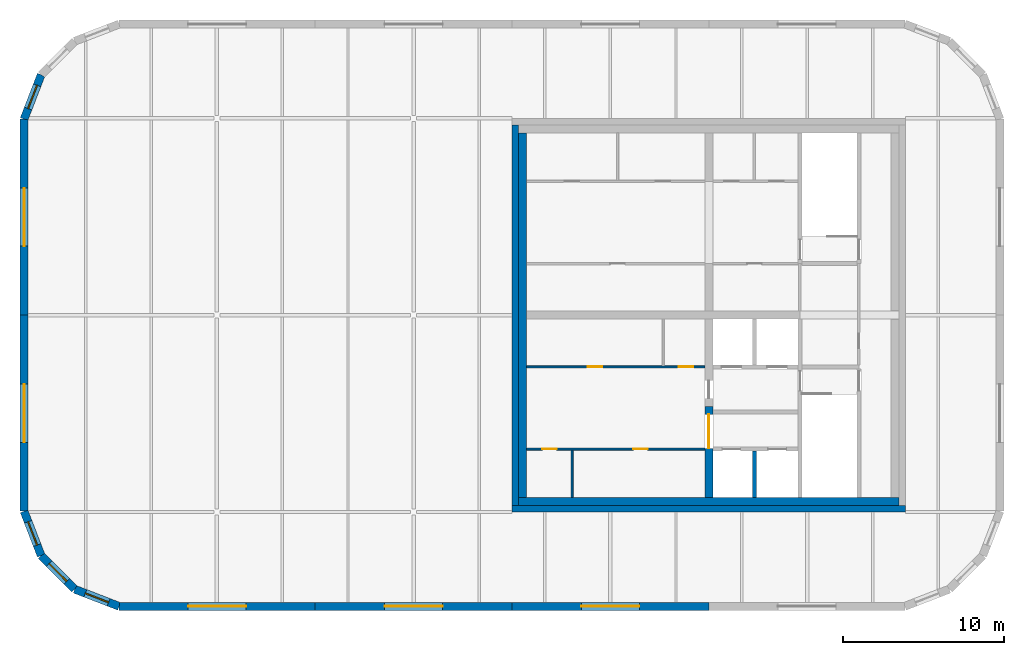
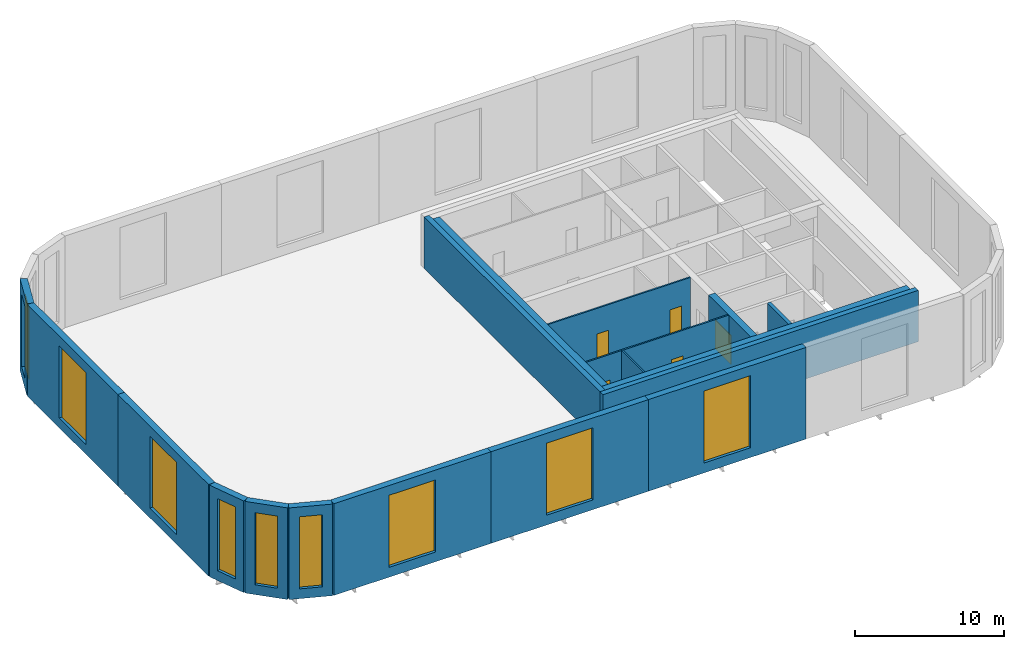
# One storey, part 2 of 6: 18 walls, 9 windows, 5 doors, 14 openings.
"""IFC4 building model written with IfcOpenShell, lengths in metres."""

from ifc_helpers import new_model, si_unit, direction, frame, frame_2d, origin, place, context, subcontext, project, spatial, polyline, rectangle, outline, extrude, faceted_brep, source, transform, mapped, material, layer, layer_set, type_object, element, fill, save


model = new_model("IFC4")

# Units and contexts
model_context = context("Model", 3, precision=1e-05, world=origin(), true_north=direction((0.0, 1.0)))
body_context = subcontext(model_context, "Body", "Model", "MODEL_VIEW")
ifc_project = project(units=[si_unit("LENGTHUNIT", "METRE"), si_unit("AREAUNIT", "SQUARE_METRE"), si_unit("VOLUMEUNIT", "CUBIC_METRE"), si_unit("PLANEANGLEUNIT", "RADIAN"), si_unit("MASSUNIT", "GRAM", prefix="KILO")], contexts=[model_context])

# Site, building, storey
site_placement = place(None, origin())
site = spatial("IfcSite", under=ifc_project, at=site_placement, CompositionType="ELEMENT")
building_placement = place(site_placement, origin())
building = spatial("IfcBuilding", under=site, at=building_placement, Name="Tessera Gate Towers", CompositionType="ELEMENT")
storey_placement = place(building_placement, frame((0.0, 0.0, 265.699951171875)))
storey = spatial("IfcBuildingStorey", under=building, at=storey_placement, Name="L66", CompositionType="ELEMENT", Elevation=265.699951171875)

# Wall
ifc_material_1 = material(Name="Concrete C40/50", Category="concrete")
ifc_layer_1 = layer(ifc_material_1, 0.25)
ifc_layer_set_1 = layer_set([ifc_layer_1], Name="CORE ENCLOSURE WALL 250")
wall_type_1 = type_object("IfcWallType", Name="CORE ENCLOSURE WALL 250", PredefinedType="SOLIDWALL", material=ifc_layer_set_1)
wall_1_placement = place(storey_placement, frame((45.52490234375, 25.300048828125, 0.0), z_axis=(0.0, 0.0, 1.0), x_axis=(0.0, 1.0, 0.0)))
element("IfcWall", 1, at=wall_1_placement, inside=storey, type_object=wall_type_1, Name="L66 shaft and stair enclosure wall", PredefinedType="SOLIDWALL", context=body_context, shape_type="SweptSolid", body=[
    extrude(rectangle(XDim=2.875, YDim=0.25, at=frame_2d((1.4375, 0.0))), origin(), (0.0, 0.0, 1.0), 4.199951171875),
])

# Wall, openings, doors
ifc_material_2 = material(Name="Gypsum board on steel studs", Category="steel")
ifc_layer_2 = layer(ifc_material_2, 0.1201171875)
ifc_layer_set_2 = layer_set([ifc_layer_2], Name="CORE PARTITION 120")
wall_type_2 = type_object("IfcWallType", Name="CORE PARTITION 120", PredefinedType="PARTITIONING", material=ifc_layer_set_2)
wall_2_placement = place(storey_placement, frame((42.449951171875, 28.300048828125, 0.0), z_axis=(0.0, 0.0, 1.0), x_axis=(-1.0, 0.0, 0.0)))
wall_2 = element("IfcWall", 2, at=wall_2_placement, inside=storey, type_object=wall_type_2, Name="L66 core partition", PredefinedType="PARTITIONING", context=body_context, shape_type="SweptSolid", body=[
    extrude(rectangle(XDim=11.050048828125, YDim=0.1201171875, at=frame_2d((5.52490234375, 0.0))), origin(), (0.0, 0.0, 1.0), 4.199951171875),
])
shared_shape_1 = source(origin(), body_context, "Body", "SweptSolid", [
    extrude(rectangle(XDim=0.89990234375, YDim=2.10009765625, at=frame_2d((0.449951171875, 1.050048828125))), frame((0.0, 0.070068359375, 0.0), z_axis=(0.0, -1.0, 0.0), x_axis=(1.0, 0.0, 0.0)), (0.0, 0.0, 1.0), 0.14013671875),
])
opening_1_placement = place(wall_2_placement, frame((9.1875, 0.0, 0.0)))
opening_1 = element("IfcOpeningElement", 3, at=opening_1_placement, cuts=wall_2, Name="Opening RD-T1-40-03", PredefinedType="OPENING", context=body_context, shape_type="MappedRepresentation", body=[
    mapped(shared_shape_1, transform((0.0, 0.0, 0.0), scale=1.0)),
])
opening_2_placement = place(wall_2_placement, frame((3.53759765625, 0.0, 0.0)))
opening_2 = element("IfcOpeningElement", 4, at=opening_2_placement, cuts=wall_2, Name="Opening RD-T1-40-04", PredefinedType="OPENING", context=body_context, shape_type="MappedRepresentation", body=[
    mapped(shared_shape_1, transform((0.0, 0.0, 0.0), scale=1.0)),
])
ifc_material_3 = material(Name="Hollow steel fire door", Category="steel")
door_type_1 = type_object("IfcDoorType", Name="CORE DOOR RD 900x2100", OperationType="NOTDEFINED", PredefinedType="DOOR", material=ifc_material_3)
shared_shape_2 = source(origin(), body_context, "Body", "SweptSolid", [
    extrude(rectangle(XDim=0.89990234375, YDim=2.10009765625, at=frame_2d((0.449951171875, 1.050048828125))), frame((0.0, 0.02490234375, 0.0), z_axis=(0.0, -1.0, 0.0), x_axis=(1.0, 0.0, 0.0)), (0.0, 0.0, 1.0), 0.050048828125),
])
door_1_placement = place(opening_1_placement, origin())
door_1 = element("IfcDoor", 5, at=door_1_placement, inside=storey, type_object=door_type_1, Name="Core room door", OperationType="SINGLE_SWING_RIGHT", OverallHeight=2.10009765625, OverallWidth=0.89990234375, PredefinedType="DOOR", context=body_context, shape_type="MappedRepresentation", body=[
    mapped(shared_shape_2, transform((0.0, 0.0, 0.0), scale=1.0)),
])
fill(opening_1, door_1)
door_2_placement = place(opening_2_placement, origin())
door_2 = element("IfcDoor", 6, at=door_2_placement, inside=storey, type_object=door_type_1, Name="Core room door", OperationType="SINGLE_SWING_LEFT", OverallHeight=2.10009765625, OverallWidth=0.89990234375, PredefinedType="DOOR", context=body_context, shape_type="MappedRepresentation", body=[
    mapped(shared_shape_2, transform((0.0, 0.0, 0.0), scale=1.0)),
])
fill(opening_2, door_2)

wall_3_placement = place(storey_placement, frame((31.39990234375, 33.39990234375, 0.0), z_axis=(0.0, 0.0, 1.0), x_axis=(1.0, 0.0, 0.0)))
wall_3 = element("IfcWall", 7, at=wall_3_placement, inside=storey, type_object=wall_type_2, Name="L66 core partition", PredefinedType="PARTITIONING", context=body_context, shape_type="SweptSolid", body=[
    extrude(rectangle(XDim=11.050048828125, YDim=0.1201171875, at=frame_2d((5.52490234375, 0.0))), origin(), (0.0, 0.0, 1.0), 4.199951171875),
])
opening_3_placement = place(wall_3_placement, frame((3.78759765625, 0.0, 0.0)))
opening_3 = element("IfcOpeningElement", 8, at=opening_3_placement, cuts=wall_3, Name="Opening RD-T1-40-05", PredefinedType="OPENING", context=body_context, shape_type="MappedRepresentation", body=[
    mapped(shared_shape_1, transform((0.0, 0.0, 0.0), scale=1.0)),
])
opening_4_placement = place(wall_3_placement, frame((9.4375, 0.0, 0.0)))
opening_4 = element("IfcOpeningElement", 9, at=opening_4_placement, cuts=wall_3, Name="Opening RD-T1-40-06", PredefinedType="OPENING", context=body_context, shape_type="MappedRepresentation", body=[
    mapped(shared_shape_1, transform((0.0, 0.0, 0.0), scale=1.0)),
])
door_3_placement = place(opening_3_placement, origin())
door_3 = element("IfcDoor", 10, at=door_3_placement, inside=storey, type_object=door_type_1, Name="Core room door", OperationType="SINGLE_SWING_LEFT", OverallHeight=2.10009765625, OverallWidth=0.89990234375, PredefinedType="DOOR", context=body_context, shape_type="MappedRepresentation", body=[
    mapped(shared_shape_2, transform((0.0, 0.0, 0.0), scale=1.0)),
])
fill(opening_3, door_3)
door_4_placement = place(opening_4_placement, origin())
door_4 = element("IfcDoor", 11, at=door_4_placement, inside=storey, type_object=door_type_1, Name="Core room door", OperationType="SINGLE_SWING_RIGHT", OverallHeight=2.10009765625, OverallWidth=0.89990234375, PredefinedType="DOOR", context=body_context, shape_type="MappedRepresentation", body=[
    mapped(shared_shape_2, transform((0.0, 0.0, 0.0), scale=1.0)),
])
fill(opening_4, door_4)

# Walls
wall_4_placement = place(storey_placement, frame((34.22509765625, 25.300048828125, 0.0), z_axis=(0.0, 0.0, 1.0), x_axis=(0.0, 1.0, 0.0)))
element("IfcWall", 12, at=wall_4_placement, inside=storey, type_object=wall_type_2, Name="L66 core partition", PredefinedType="PARTITIONING", context=body_context, shape_type="SweptSolid", body=[
    extrude(rectangle(XDim=2.93994140625, YDim=0.1201171875, at=frame_2d((1.469970703125, 0.0))), origin(), (0.0, 0.0, 1.0), 4.199951171875),
])
ifc_material_4 = material(Name="Concrete C40/50", Category="concrete")
ifc_layer_3 = layer(ifc_material_4, 0.39990234375)
ifc_layer_set_3 = layer_set([ifc_layer_3], Name="CORE SHEAR WALL 400 C40/50")
wall_type_3 = type_object("IfcWallType", Name="CORE SHEAR WALL 400 C40/50", PredefinedType="SHEAR", material=ifc_layer_set_3)
wall_5_placement = place(storey_placement, frame((54.89990234375, 24.60009765625, 0.0), z_axis=(0.0, 0.0, 1.0), x_axis=(-1.0, 0.0, 0.0)))
element("IfcWall", 13, at=wall_5_placement, inside=storey, type_object=wall_type_3, Name="Core wall S L66", PredefinedType="SHEAR", context=body_context, shape_type="SweptSolid", body=[
    extrude(rectangle(XDim=24.39990234375, YDim=0.39990234375, at=frame_2d((12.199951171875, 0.0))), origin(), (0.0, 0.0, 1.0), 4.199951171875),
])
wall_6_placement = place(storey_placement, frame((30.699951171875, 24.800048828125, 0.0), z_axis=(0.0, 0.0, 1.0), x_axis=(0.0, 1.0, 0.0)))
element("IfcWall", 14, at=wall_6_placement, inside=storey, type_object=wall_type_3, Name="Core wall W L66", PredefinedType="SHEAR", context=body_context, shape_type="SweptSolid", body=[
    extrude(rectangle(XDim=23.599853515625, YDim=0.39990234375, at=frame_2d((11.7998046875, 0.0))), origin(), (0.0, 0.0, 1.0), 4.199951171875),
])

# Wall, opening, door
ifc_material_5 = material(Name="Concrete C40/50", Category="concrete")
ifc_layer_4 = layer(ifc_material_5, 0.5)
ifc_layer_set_4 = layer_set([ifc_layer_4], Name="CORE SPINE WALL 500 C40/50")
wall_type_4 = type_object("IfcWallType", Name="CORE SPINE WALL 500 C40/50", PredefinedType="SHEAR", material=ifc_layer_set_4)
wall_7_placement = place(storey_placement, frame((42.699951171875, 25.300048828125, 0.0), z_axis=(0.0, 0.0, 1.0), x_axis=(0.0, 1.0, 0.0)))
wall_7 = element("IfcWall", 15, at=wall_7_placement, inside=storey, type_object=wall_type_4, Name="Core wall spine L66", PredefinedType="SHEAR", context=body_context, shape_type="SweptSolid", body=[
    extrude(rectangle(XDim=5.64990234375, YDim=0.5, at=frame_2d((2.824951171875, 0.0))), origin(), (0.0, 0.0, 1.0), 4.199951171875),
])
shared_shape_3 = source(origin(), body_context, "Body", "SweptSolid", [
    extrude(rectangle(XDim=2.10009765625, YDim=2.39990234375, at=frame_2d((1.050048828125, 1.199951171875))), frame((0.0, 0.260009765625, 0.0), z_axis=(0.0, -1.0, 0.0), x_axis=(1.0, 0.0, 0.0)), (0.0, 0.0, 1.0), 0.52001953125),
])
opening_5_placement = place(wall_7_placement, frame((3.050048828125, 0.0, 0.0)))
opening_5 = element("IfcOpeningElement", 16, at=opening_5_placement, cuts=wall_7, Name="Opening DD-T1-40-01", PredefinedType="OPENING", context=body_context, shape_type="MappedRepresentation", body=[
    mapped(shared_shape_3, transform((0.0, 0.0, 0.0), scale=1.0)),
])
ifc_material_6 = material(Name="Hollow steel fire door", Category="steel")
door_type_2 = type_object("IfcDoorType", Name="CORE DOOR DD 2100x2400", OperationType="NOTDEFINED", PredefinedType="DOOR", material=ifc_material_6)
shared_shape_4 = source(origin(), body_context, "Body", "SweptSolid", [
    extrude(rectangle(XDim=2.10009765625, YDim=2.39990234375, at=frame_2d((1.050048828125, 1.199951171875))), frame((0.0, 0.02490234375, 0.0), z_axis=(0.0, -1.0, 0.0), x_axis=(1.0, 0.0, 0.0)), (0.0, 0.0, 1.0), 0.050048828125),
])
door_5_placement = place(opening_5_placement, origin())
door_5 = element("IfcDoor", 17, at=door_5_placement, inside=storey, type_object=door_type_2, Name="Lift lobby door", OperationType="DOUBLE_DOOR_SINGLE_SWING", OverallHeight=2.39990234375, OverallWidth=2.10009765625, PredefinedType="DOOR", context=body_context, shape_type="MappedRepresentation", body=[
    mapped(shared_shape_4, transform((0.0, 0.0, 0.0), scale=1.0)),
])
fill(opening_5, door_5)

# Walls
ifc_material_7 = material(Name="Concrete C40/50", Category="concrete")
ifc_layer_5 = layer(ifc_material_7, 0.5)
ifc_layer_set_5 = layer_set([ifc_layer_5], Name="CORE WALL THICKENING 500")
wall_type_5 = type_object("IfcWallType", Name="CORE WALL THICKENING 500", PredefinedType="SOLIDWALL", material=ifc_layer_set_5)
wall_8_placement = place(storey_placement, frame((30.89990234375, 25.050048828125, 0.0), z_axis=(0.0, 0.0, 1.0), x_axis=(1.0, 0.0, 0.0)))
element("IfcWall", 18, at=wall_8_placement, inside=storey, type_object=wall_type_5, Name="Core wall thickening S L66", PredefinedType="SOLIDWALL", context=body_context, shape_type="SweptSolid", body=[
    extrude(rectangle(XDim=23.60009765625, YDim=0.5, at=frame_2d((11.800048828125, 0.0))), origin(), (0.0, 0.0, 1.0), 4.199951171875),
])
wall_9_placement = place(storey_placement, frame((31.14990234375, 25.300048828125, 0.0), z_axis=(0.0, 0.0, 1.0), x_axis=(0.0, 1.0, 0.0)))
element("IfcWall", 19, at=wall_9_placement, inside=storey, type_object=wall_type_5, Name="Core wall thickening W L66", PredefinedType="SOLIDWALL", context=body_context, shape_type="SweptSolid", body=[
    extrude(rectangle(XDim=22.599853515625, YDim=0.5, at=frame_2d((11.2998046875, 0.0))), origin(), (0.0, 0.0, 1.0), 4.199951171875),
])

# Wall, opening, window
ifc_material_8 = material(Name="Precast concrete C60/75 white", Category="concrete")
ifc_layer_6 = layer(ifc_material_8, 0.5)
ifc_layer_set_6 = layer_set([ifc_layer_6], Name="RB1 ring band panel")
wall_type_6 = type_object("IfcWallType", Name="RB1 ring band panel", PredefinedType="SOLIDWALL", material=ifc_layer_set_6)
shared_shape_5 = source(origin(), body_context, "Body", "Brep", [
    faceted_brep([(0.0, -0.25, 0.0), (12.153564453125, -0.25, 0.0), (12.153564453125, -0.25, 7.5), (0.0, -0.25, 7.5), (0.046630859375, 0.25, 7.5), (12.153564453125, 0.25, 7.5), (12.153564453125, 0.25, 0.0), (0.046630859375, 0.25, 0.0), (0.0, 0.0, 0.0), (0.0, 0.0, 7.5)], [[[0, 1, 2, 3]], [[4, 5, 6, 7]], [[7, 6, 1, 0, 8]], [[5, 4, 9, 3, 2]], [[8, 0, 3, 9]], [[7, 8, 9, 4]], [[1, 6, 5, 2]]]),
])
wall_10_placement = place(storey_placement, frame((6.146484375, 18.550048828125, 0.0), z_axis=(0.0, 0.0, 1.0), x_axis=(1.0, 0.0, 0.0)))
wall_10 = element("IfcWall", 20, at=wall_10_placement, inside=storey, type_object=wall_type_6, Name="Ring band panel T1 RB1-0522", PredefinedType="SOLIDWALL", context=body_context, shape_type="MappedRepresentation", body=[
    mapped(shared_shape_5, transform((0.0, 0.0, 0.0), scale=1.0)),
])
shared_shape_6 = source(origin(), body_context, "Body", "SweptSolid", [
    extrude(outline(polyline([(4.276611328125, 0.800048828125), (7.876708984375, 0.800048828125), (7.876708984375, 6.699951171875), (4.276611328125, 6.699951171875), (4.276611328125, 0.800048828125)])), frame((0.0, 0.260009765625, 0.0), z_axis=(0.0, -1.0, 0.0), x_axis=(1.0, 0.0, 0.0)), (0.0, 0.0, 1.0), 0.52001953125),
])
opening_6_placement = place(wall_10_placement, origin())
opening_6 = element("IfcOpeningElement", 21, at=opening_6_placement, cuts=wall_10, Name="Opening T1-WN-LV1-0097", PredefinedType="OPENING", context=body_context, shape_type="MappedRepresentation", body=[
    mapped(shared_shape_6, transform((0.0, 0.0, 0.0), scale=1.0)),
])
ifc_material_9 = material(Name="Aluminium louvre", Category="aluminium")
ifc_layer_7 = layer(ifc_material_9, 0.06005859375)
ifc_layer_set_7 = layer_set([ifc_layer_7], Name="LV1 louvre")
window_type = type_object("IfcWindowType", Name="LV1 louvre", PartitioningType="USERDEFINED", PredefinedType="WINDOW", material=ifc_layer_set_7)
shared_shape_7 = source(origin(), body_context, "Body", "SweptSolid", [
    extrude(outline(polyline([(4.276611328125, 0.800048828125), (7.876708984375, 0.800048828125), (7.876708984375, 6.699951171875), (4.276611328125, 6.699951171875), (4.276611328125, 0.800048828125)])), frame((0.0, 0.030029296875, 0.0), z_axis=(0.0, -1.0, 0.0), x_axis=(1.0, 0.0, 0.0)), (0.0, 0.0, 1.0), 0.06005859375),
])
window_1_placement = place(opening_6_placement, origin())
window_1 = element("IfcWindow", 22, at=window_1_placement, inside=storey, type_object=window_type, Name="Louvre T1 WN-LV1-0097", OverallHeight=5.89990234375, OverallWidth=3.60009765625, PartitioningType="USERDEFINED", PredefinedType="WINDOW", context=body_context, shape_type="MappedRepresentation", body=[
    mapped(shared_shape_7, transform((0.0, 0.0, 0.0), scale=1.0)),
])
fill(opening_6, window_1)

wall_11_placement = place(storey_placement, frame((0.25, 48.75341796875, 0.0), z_axis=(0.0, 0.0, 1.0), x_axis=(0.0, -1.0, 0.0)))
wall_11 = element("IfcWall", 23, at=wall_11_placement, inside=storey, type_object=wall_type_6, Name="Ring band panel T1 RB1-0541", PredefinedType="SOLIDWALL", context=body_context, shape_type="MappedRepresentation", body=[
    mapped(shared_shape_5, transform((0.0, 0.0, 0.0), scale=1.0)),
])
opening_7_placement = place(wall_11_placement, origin())
opening_7 = element("IfcOpeningElement", 24, at=opening_7_placement, cuts=wall_11, Name="Opening T1-WN-LV1-0116", PredefinedType="OPENING", context=body_context, shape_type="MappedRepresentation", body=[
    mapped(shared_shape_6, transform((0.0, 0.0, 0.0), scale=1.0)),
])
window_2_placement = place(opening_7_placement, origin())
window_2 = element("IfcWindow", 25, at=window_2_placement, inside=storey, type_object=window_type, Name="Louvre T1 WN-LV1-0116", OverallHeight=5.89990234375, OverallWidth=3.60009765625, PartitioningType="USERDEFINED", PredefinedType="WINDOW", context=body_context, shape_type="MappedRepresentation", body=[
    mapped(shared_shape_7, transform((0.0, 0.0, 0.0), scale=1.0)),
])
fill(opening_7, window_2)

shared_shape_8 = source(origin(), body_context, "Body", "SweptSolid", [
    extrude(outline(polyline([(0.0, 0.0), (12.199951171875, 0.0), (12.199951171875, 7.5), (0.0, 7.5), (0.0, 0.0)])), frame((0.0, 0.25, 0.0), z_axis=(0.0, -1.0, 0.0), x_axis=(1.0, 0.0, 0.0)), (0.0, 0.0, 1.0), 0.5),
])
wall_12_placement = place(storey_placement, frame((18.300048828125, 18.550048828125, 0.0), z_axis=(0.0, 0.0, 1.0), x_axis=(1.0, 0.0, 0.0)))
wall_12 = element("IfcWall", 26, at=wall_12_placement, inside=storey, type_object=wall_type_6, Name="Ring band panel T1 RB1-0523", PredefinedType="SOLIDWALL", context=body_context, shape_type="MappedRepresentation", body=[
    mapped(shared_shape_8, transform((0.0, 0.0, 0.0), scale=1.0)),
])
shared_shape_9 = source(origin(), body_context, "Body", "SweptSolid", [
    extrude(outline(polyline([(4.300048828125, 0.800048828125), (7.89990234375, 0.800048828125), (7.89990234375, 6.699951171875), (4.300048828125, 6.699951171875), (4.300048828125, 0.800048828125)])), frame((0.0, 0.260009765625, 0.0), z_axis=(0.0, -1.0, 0.0), x_axis=(1.0, 0.0, 0.0)), (0.0, 0.0, 1.0), 0.52001953125),
])
opening_8_placement = place(wall_12_placement, origin())
opening_8 = element("IfcOpeningElement", 27, at=opening_8_placement, cuts=wall_12, Name="Opening T1-WN-LV1-0098", PredefinedType="OPENING", context=body_context, shape_type="MappedRepresentation", body=[
    mapped(shared_shape_9, transform((0.0, 0.0, 0.0), scale=1.0)),
])
shared_shape_10 = source(origin(), body_context, "Body", "SweptSolid", [
    extrude(outline(polyline([(4.300048828125, 0.800048828125), (7.89990234375, 0.800048828125), (7.89990234375, 6.699951171875), (4.300048828125, 6.699951171875), (4.300048828125, 0.800048828125)])), frame((0.0, 0.030029296875, 0.0), z_axis=(0.0, -1.0, 0.0), x_axis=(1.0, 0.0, 0.0)), (0.0, 0.0, 1.0), 0.06005859375),
])
window_3_placement = place(opening_8_placement, origin())
window_3 = element("IfcWindow", 28, at=window_3_placement, inside=storey, type_object=window_type, Name="Louvre T1 WN-LV1-0098", OverallHeight=5.89990234375, OverallWidth=3.599853515625, PartitioningType="USERDEFINED", PredefinedType="WINDOW", context=body_context, shape_type="MappedRepresentation", body=[
    mapped(shared_shape_10, transform((0.0, 0.0, 0.0), scale=1.0)),
])
fill(opening_8, window_3)

wall_13_placement = place(storey_placement, frame((30.5, 18.550048828125, 0.0), z_axis=(0.0, 0.0, 1.0), x_axis=(1.0, 0.0, 0.0)))
wall_13 = element("IfcWall", 29, at=wall_13_placement, inside=storey, type_object=wall_type_6, Name="Ring band panel T1 RB1-0524", PredefinedType="SOLIDWALL", context=body_context, shape_type="MappedRepresentation", body=[
    mapped(shared_shape_8, transform((0.0, 0.0, 0.0), scale=1.0)),
])
opening_9_placement = place(wall_13_placement, origin())
opening_9 = element("IfcOpeningElement", 30, at=opening_9_placement, cuts=wall_13, Name="Opening T1-WN-LV1-0099", PredefinedType="OPENING", context=body_context, shape_type="MappedRepresentation", body=[
    mapped(shared_shape_9, transform((0.0, 0.0, 0.0), scale=1.0)),
])
window_4_placement = place(opening_9_placement, origin())
window_4 = element("IfcWindow", 31, at=window_4_placement, inside=storey, type_object=window_type, Name="Louvre T1 WN-LV1-0099", OverallHeight=5.89990234375, OverallWidth=3.599853515625, PartitioningType="USERDEFINED", PredefinedType="WINDOW", context=body_context, shape_type="MappedRepresentation", body=[
    mapped(shared_shape_10, transform((0.0, 0.0, 0.0), scale=1.0)),
])
fill(opening_9, window_4)

shared_shape_11 = source(origin(), body_context, "Body", "Brep", [
    faceted_brep([(0.0, -0.25, 0.0), (12.153564453125, -0.25, 0.0), (12.153564453125, -0.25, 7.5), (0.0, -0.25, 7.5), (0.0, 0.25, 7.5), (12.10693359375, 0.25, 7.5), (12.10693359375, 0.25, 0.0), (0.0, 0.25, 0.0), (12.153564453125, -0.00048828125, 0.0), (12.153564453125, -0.00048828125, 7.5)], [[[0, 1, 2, 3]], [[4, 5, 6, 7]], [[7, 6, 8, 1, 0]], [[9, 2, 1, 8]], [[5, 4, 3, 2, 9]], [[4, 7, 0, 3]], [[8, 6, 5, 9]]]),
])
wall_14_placement = place(storey_placement, frame((0.25, 36.60009765625, 0.0), z_axis=(0.0, 0.0, 1.0), x_axis=(0.0, -1.0, 0.0)))
wall_14 = element("IfcWall", 32, at=wall_14_placement, inside=storey, type_object=wall_type_6, Name="Ring band panel T1 RB1-0542", PredefinedType="SOLIDWALL", context=body_context, shape_type="MappedRepresentation", body=[
    mapped(shared_shape_11, transform((0.0, 0.0, 0.0), scale=1.0)),
])
opening_10_placement = place(wall_14_placement, origin())
opening_10 = element("IfcOpeningElement", 33, at=opening_10_placement, cuts=wall_14, Name="Opening T1-WN-LV1-0117", PredefinedType="OPENING", context=body_context, shape_type="MappedRepresentation", body=[
    mapped(shared_shape_6, transform((0.0, 0.0, 0.0), scale=1.0)),
])
window_5_placement = place(opening_10_placement, origin())
window_5 = element("IfcWindow", 34, at=window_5_placement, inside=storey, type_object=window_type, Name="Louvre T1 WN-LV1-0117", OverallHeight=5.89990234375, OverallWidth=3.60009765625, PartitioningType="USERDEFINED", PredefinedType="WINDOW", context=body_context, shape_type="MappedRepresentation", body=[
    mapped(shared_shape_7, transform((0.0, 0.0, 0.0), scale=1.0)),
])
fill(opening_10, window_5)

shared_shape_12 = source(origin(), body_context, "Body", "Brep", [
    faceted_brep([(0.0, -0.25, 0.0), (2.950439453125, -0.25, 0.0), (2.950439453125, -0.25, 7.5), (0.0, -0.25, 7.5), (0.046630859375, 0.25, 7.5), (2.897705078125, 0.25, 7.5), (2.897705078125, 0.25, 0.0), (0.046630859375, 0.25, 0.0), (2.950439453125, 0.00048828125, 0.0), (0.0, 0.0, 0.0), (2.950439453125, 0.00048828125, 7.5), (0.0, 0.0, 7.5)], [[[0, 1, 2, 3]], [[4, 5, 6, 7]], [[7, 6, 8, 1, 0, 9]], [[10, 2, 1, 8]], [[5, 4, 11, 3, 2, 10]], [[9, 0, 3, 11]], [[7, 9, 11, 4]], [[8, 6, 5, 10]]]),
])
wall_15_placement = place(storey_placement, frame((0.25, 24.446533203125, 0.0), z_axis=(0.0, 0.0, 1.0), x_axis=(0.359877213415, -0.932999673775, 0.0)))
wall_15 = element("IfcWall", 35, at=wall_15_placement, inside=storey, type_object=wall_type_6, Name="Ring band panel T1 RB1-0543", PredefinedType="SOLIDWALL", context=body_context, shape_type="MappedRepresentation", body=[
    mapped(shared_shape_12, transform((0.0, 0.0, 0.0), scale=1.0)),
])
shared_shape_13 = source(origin(), body_context, "Body", "SweptSolid", [
    extrude(outline(polyline([(0.699951171875, 0.800048828125), (2.25048828125, 0.800048828125), (2.25048828125, 6.699951171875), (0.699951171875, 6.699951171875), (0.699951171875, 0.800048828125)])), frame((0.0, 0.260009765625, 0.0), z_axis=(0.0, -1.0, 0.0), x_axis=(1.0, 0.0, 0.0)), (0.0, 0.0, 1.0), 0.52001953125),
])
opening_11_placement = place(wall_15_placement, origin())
opening_11 = element("IfcOpeningElement", 36, at=opening_11_placement, cuts=wall_15, Name="Opening T1-WN-LV1-0118", PredefinedType="OPENING", context=body_context, shape_type="MappedRepresentation", body=[
    mapped(shared_shape_13, transform((0.0, 0.0, 0.0), scale=1.0)),
])
shared_shape_14 = source(origin(), body_context, "Body", "SweptSolid", [
    extrude(outline(polyline([(0.699951171875, 0.800048828125), (2.25048828125, 0.800048828125), (2.25048828125, 6.699951171875), (0.699951171875, 6.699951171875), (0.699951171875, 0.800048828125)])), frame((0.0, 0.030029296875, 0.0), z_axis=(0.0, -1.0, 0.0), x_axis=(1.0, 0.0, 0.0)), (0.0, 0.0, 1.0), 0.06005859375),
])
window_6_placement = place(opening_11_placement, origin())
window_6 = element("IfcWindow", 37, at=window_6_placement, inside=storey, type_object=window_type, Name="Louvre T1 WN-LV1-0118", OverallHeight=5.89990234375, OverallWidth=1.550537109375, PartitioningType="USERDEFINED", PredefinedType="WINDOW", context=body_context, shape_type="MappedRepresentation", body=[
    mapped(shared_shape_14, transform((0.0, 0.0, 0.0), scale=1.0)),
])
fill(opening_11, window_6)

shared_shape_15 = source(origin(), body_context, "Body", "Brep", [
    faceted_brep([(0.0, -0.25, 0.0), (2.944091796875, -0.25, 0.0), (2.944091796875, -0.25, 7.5), (0.0, -0.25, 7.5), (0.052978515625, 0.25, 7.5), (2.89111328125, 0.25, 7.5), (2.89111328125, 0.25, 0.0), (0.052978515625, 0.25, 0.0), (2.944091796875, 0.000244140625, 0.0), (0.0, 0.0, 0.0), (2.944091796875, 0.000244140625, 7.5), (0.0, 0.0, 7.5)], [[[0, 1, 2, 3]], [[4, 5, 6, 7]], [[7, 6, 8, 1, 0, 9]], [[10, 2, 1, 8]], [[5, 4, 11, 3, 2, 10]], [[9, 0, 3, 11]], [[7, 9, 11, 4]], [[8, 6, 5, 10]]]),
])
wall_16_placement = place(storey_placement, frame((1.31201171875, 21.69384765625, 0.0), z_axis=(0.0, 0.0, 1.0), x_axis=(0.707106781187, -0.707106781187, 0.0)))
wall_16 = element("IfcWall", 38, at=wall_16_placement, inside=storey, type_object=wall_type_6, Name="Ring band panel T1 RB1-0544", PredefinedType="SOLIDWALL", context=body_context, shape_type="MappedRepresentation", body=[
    mapped(shared_shape_15, transform((0.0, 0.0, 0.0), scale=1.0)),
])
shared_shape_16 = source(origin(), body_context, "Body", "SweptSolid", [
    extrude(outline(polyline([(0.699951171875, 0.800048828125), (2.244140625, 0.800048828125), (2.244140625, 6.699951171875), (0.699951171875, 6.699951171875), (0.699951171875, 0.800048828125)])), frame((0.0, 0.260009765625, 0.0), z_axis=(0.0, -1.0, 0.0), x_axis=(1.0, 0.0, 0.0)), (0.0, 0.0, 1.0), 0.52001953125),
])
opening_12_placement = place(wall_16_placement, origin())
opening_12 = element("IfcOpeningElement", 39, at=opening_12_placement, cuts=wall_16, Name="Opening T1-WN-LV1-0119", PredefinedType="OPENING", context=body_context, shape_type="MappedRepresentation", body=[
    mapped(shared_shape_16, transform((0.0, 0.0, 0.0), scale=1.0)),
])
shared_shape_17 = source(origin(), body_context, "Body", "SweptSolid", [
    extrude(outline(polyline([(0.699951171875, 0.800048828125), (2.244140625, 0.800048828125), (2.244140625, 6.699951171875), (0.699951171875, 6.699951171875), (0.699951171875, 0.800048828125)])), frame((0.0, 0.030029296875, 0.0), z_axis=(0.0, -1.0, 0.0), x_axis=(1.0, 0.0, 0.0)), (0.0, 0.0, 1.0), 0.06005859375),
])
window_7_placement = place(opening_12_placement, origin())
window_7 = element("IfcWindow", 40, at=window_7_placement, inside=storey, type_object=window_type, Name="Louvre T1 WN-LV1-0119", OverallHeight=5.89990234375, OverallWidth=1.544189453125, PartitioningType="USERDEFINED", PredefinedType="WINDOW", context=body_context, shape_type="MappedRepresentation", body=[
    mapped(shared_shape_17, transform((0.0, 0.0, 0.0), scale=1.0)),
])
fill(opening_12, window_7)

shared_shape_18 = source(origin(), body_context, "Body", "Brep", [
    faceted_brep([(0.0, -0.25, 0.0), (2.950439453125, -0.25, 0.0), (2.950439453125, -0.25, 7.5), (0.0, -0.25, 7.5), (0.052978515625, 0.25, 7.5), (2.904052734375, 0.25, 7.5), (2.904052734375, 0.25, 0.0), (0.052978515625, 0.25, 0.0), (2.950439453125, 0.00048828125, 0.0), (0.0, 0.0, 0.0), (2.950439453125, 0.00048828125, 7.5), (0.0, 0.0, 7.5)], [[[0, 1, 2, 3]], [[4, 5, 6, 7]], [[7, 6, 8, 1, 0, 9]], [[10, 2, 1, 8]], [[5, 4, 11, 3, 2, 10]], [[9, 0, 3, 11]], [[7, 9, 11, 4]], [[8, 6, 5, 10]]]),
])
wall_17_placement = place(storey_placement, frame((3.393798828125, 19.61181640625, 0.0), z_axis=(0.0, 0.0, 1.0), x_axis=(0.932999673775, -0.359877213415, 0.0)))
wall_17 = element("IfcWall", 41, at=wall_17_placement, inside=storey, type_object=wall_type_6, Name="Ring band panel T1 RB1-0545", PredefinedType="SOLIDWALL", context=body_context, shape_type="MappedRepresentation", body=[
    mapped(shared_shape_18, transform((0.0, 0.0, 0.0), scale=1.0)),
])
opening_13_placement = place(wall_17_placement, origin())
opening_13 = element("IfcOpeningElement", 42, at=opening_13_placement, cuts=wall_17, Name="Opening T1-WN-LV1-0120", PredefinedType="OPENING", context=body_context, shape_type="MappedRepresentation", body=[
    mapped(shared_shape_13, transform((0.0, 0.0, 0.0), scale=1.0)),
])
window_8_placement = place(opening_13_placement, origin())
window_8 = element("IfcWindow", 43, at=window_8_placement, inside=storey, type_object=window_type, Name="Louvre T1 WN-LV1-0120", OverallHeight=5.89990234375, OverallWidth=1.550537109375, PartitioningType="USERDEFINED", PredefinedType="WINDOW", context=body_context, shape_type="MappedRepresentation", body=[
    mapped(shared_shape_14, transform((0.0, 0.0, 0.0), scale=1.0)),
])
fill(opening_13, window_8)

shared_shape_19 = source(origin(), body_context, "Body", "Brep", [
    faceted_brep([(0.0, -0.25, 0.0), (2.950439453125, -0.25, 0.0), (2.950439453125, -0.25, 7.5), (0.0, -0.25, 7.5), (0.052978515625, 0.25, 7.5), (2.904052734375, 0.25, 7.5), (2.904052734375, 0.25, 0.0), (0.052978515625, 0.25, 0.0), (2.950439453125, 0.00048828125, 0.0), (0.0, 0.0, 0.0), (2.950439453125, 0.00048828125, 7.5), (0.0, 0.0, 7.5)], [[[0, 1, 2, 3]], [[4, 5, 6, 7]], [[7, 6, 8, 1, 0, 9]], [[10, 2, 1, 8]], [[5, 4, 11, 3, 2, 10]], [[9, 0, 3, 11]], [[7, 9, 11, 4]], [[8, 6, 5, 10]]]),
])
wall_18_placement = place(storey_placement, frame((1.31201171875, 51.50634765625, 0.0), z_axis=(0.0, 0.0, 1.0), x_axis=(-0.359921456299, -0.932982607178, 0.0)))
wall_18 = element("IfcWall", 44, at=wall_18_placement, inside=storey, type_object=wall_type_6, Name="Ring band panel T1 RB1-0540", PredefinedType="SOLIDWALL", context=body_context, shape_type="MappedRepresentation", body=[
    mapped(shared_shape_19, transform((0.0, 0.0, 0.0), scale=1.0)),
])
opening_14_placement = place(wall_18_placement, origin())
opening_14 = element("IfcOpeningElement", 45, at=opening_14_placement, cuts=wall_18, Name="Opening T1-WN-LV1-0115", PredefinedType="OPENING", context=body_context, shape_type="MappedRepresentation", body=[
    mapped(shared_shape_13, transform((0.0, 0.0, 0.0), scale=1.0)),
])
window_9_placement = place(opening_14_placement, origin())
window_9 = element("IfcWindow", 46, at=window_9_placement, inside=storey, type_object=window_type, Name="Louvre T1 WN-LV1-0115", OverallHeight=5.89990234375, OverallWidth=1.550537109375, PartitioningType="USERDEFINED", PredefinedType="WINDOW", context=body_context, shape_type="MappedRepresentation", body=[
    mapped(shared_shape_14, transform((0.0, 0.0, 0.0), scale=1.0)),
])
fill(opening_14, window_9)

save(model, "model.ifc")
